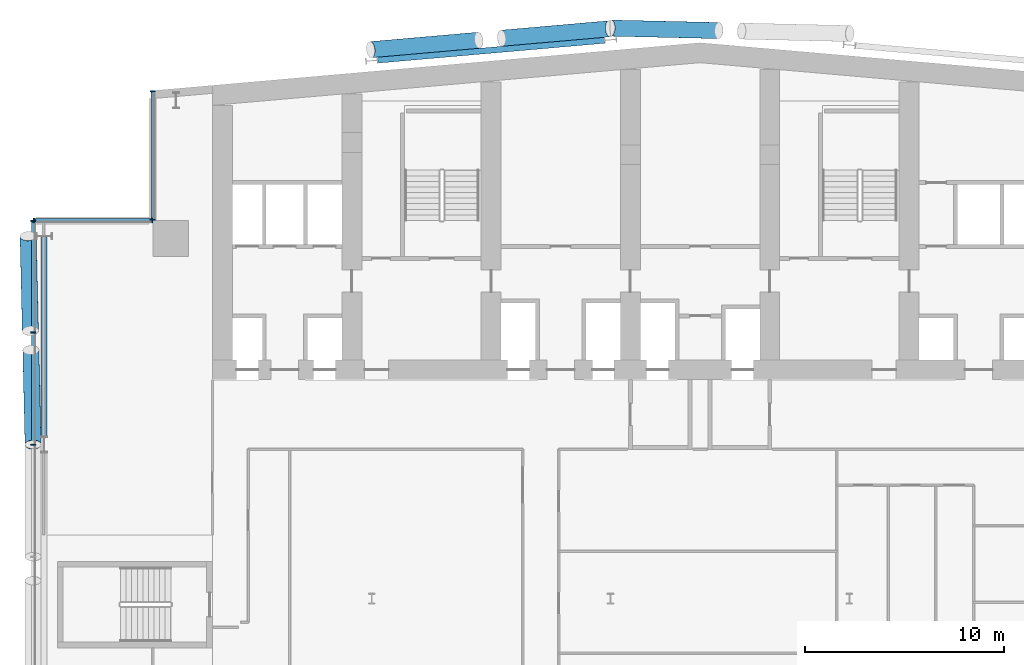
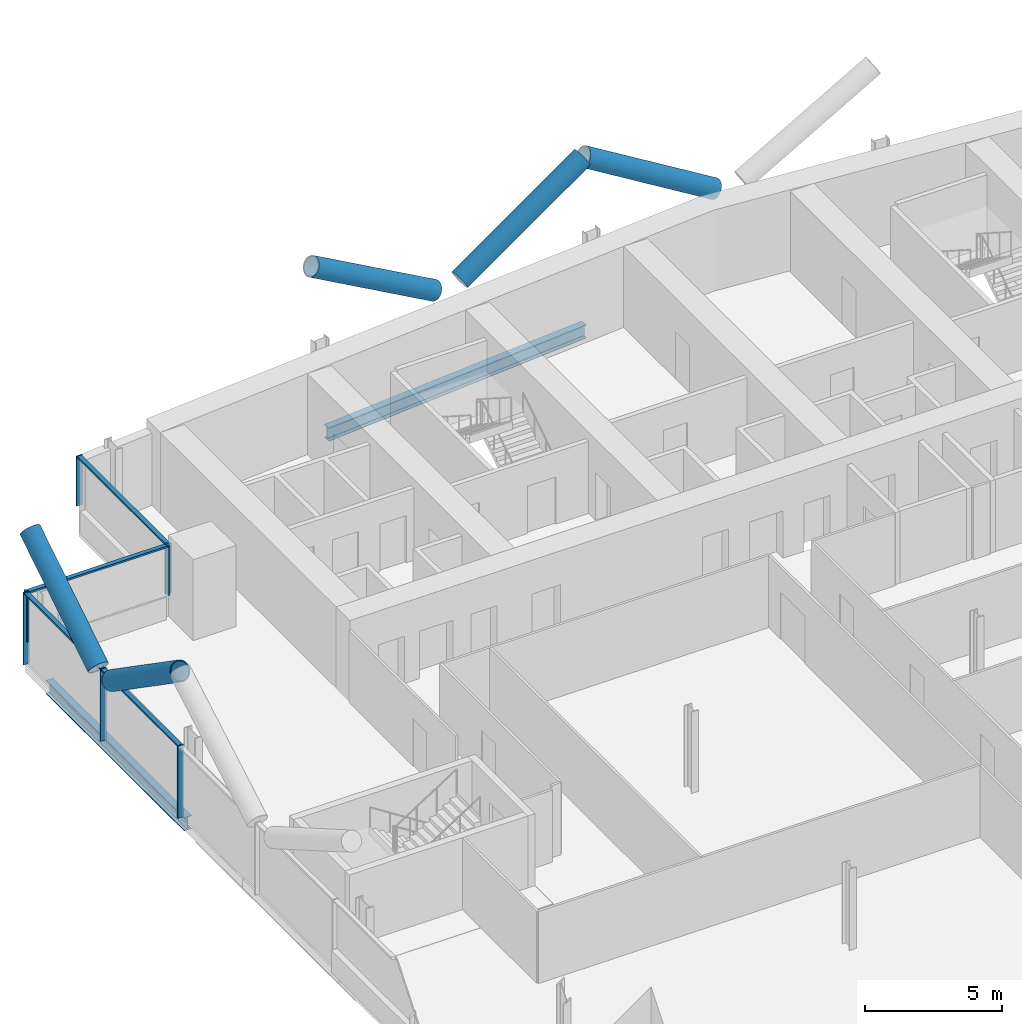
# One storey, part 8 of 27: 16 members, 2 beams, 3 elements without a shape of their own.
"""IFC4 building model written with IfcOpenShell, lengths in metres."""

from ifc_helpers import new_model, si_unit, direction, frame, origin, origin_2d, place, context, subcontext, project, spatial, rectangle, hollow_circle, i_section, extrude, material, material_profile, profile_set, type_object, element, aggregate, save


model = new_model("IFC4")

# Units and contexts
model_context = context("Model", 3, precision=1e-05, world=origin(), true_north=direction((0.0, 1.0)))
body_context = subcontext(model_context, "Body", "Model", "MODEL_VIEW")
ifc_project = project(units=[si_unit("LENGTHUNIT", "METRE"), si_unit("AREAUNIT", "SQUARE_METRE"), si_unit("VOLUMEUNIT", "CUBIC_METRE"), si_unit("PLANEANGLEUNIT", "RADIAN"), si_unit("MASSUNIT", "GRAM", prefix="KILO")], contexts=[model_context])

# Site, building, storey
site_placement = place(None, origin())
site = spatial("IfcSite", under=ifc_project, at=site_placement, CompositionType="ELEMENT")
building_placement = place(site_placement, origin())
building = spatial("IfcBuilding", under=site, at=building_placement, Name="Wharfspan Tower", CompositionType="ELEMENT")
storey_placement = place(building_placement, frame((0.0, 0.0, 111.100098)))
storey = spatial("IfcBuildingStorey", under=building, at=storey_placement, Name="L25", CompositionType="ELEMENT", Elevation=111.100098)

# Beams
ifc_material_1 = material(Name="Steel S355J2", Category="steel")
ifc_material_profile_1 = material_profile(ifc_material_1, i_section(OverallWidth=0.300049, OverallDepth=0.600098, WebThickness=0.015381, FlangeThickness=0.030029, FilletRadius=0.0271, at=origin_2d()))
ifc_profile_set_1 = profile_set([ifc_material_profile_1], Name="Steel S355J2")
beam_type = type_object("IfcBeamType", Name="Edge beam HEB 600", PredefinedType="SPANDREL", material=ifc_profile_set_1)
beam_1_placement = place(storey_placement, frame((35.695068, 51.050537, -0.700195), z_axis=(-0.996194, -0.087162, 0.0), x_axis=(0.087162, -0.996194, 0.0)))
element("IfcBeam", 1, at=beam_1_placement, inside=storey, type_object=beam_type, Name="Edge beam N1 L25 R.2 to R.1", PredefinedType="SPANDREL", context=body_context, shape_type="SweptSolid", body=[
    extrude(i_section(OverallWidth=0.300049, OverallDepth=0.600098, WebThickness=0.015381, FlangeThickness=0.030029, FilletRadius=0.0271, at=origin_2d()), origin(), (0.0, 0.0, 1.0), 11.433594),
])
beam_2_placement = place(storey_placement, frame((7.544434, 41.201416, -0.700195), z_axis=(-0.000412, -1.0, 0.0), x_axis=(1.0, -0.000412, 0.0)))
element("IfcBeam", 2, at=beam_2_placement, inside=storey, type_object=beam_type, Name="Edge beam W L25 PNRW-H.1 to PW.1", PredefinedType="SPANDREL", context=body_context, shape_type="SweptSolid", body=[
    extrude(i_section(OverallWidth=0.300049, OverallDepth=0.600098, WebThickness=0.015381, FlangeThickness=0.030029, FilletRadius=0.0271, at=origin_2d()), origin(), (0.0, 0.0, 1.0), 10.065186),
])

# Curtain wall, members
ifc_material_2 = material(Name="Aluminium 6063-T6", Category="aluminium")
curtain_wall_type = type_object("IfcCurtainWallType", Name="CURTAIN WALL PROW AND END", PredefinedType="NOTDEFINED", material=ifc_material_2)
curtain_wall_1_placement = place(storey_placement, origin())
curtain_wall_1 = element("IfcCurtainWall", 3, at=curtain_wall_1_placement, inside=storey, type_object=curtain_wall_type, Name="Curtain wall NRW-V", PredefinedType="NOTDEFINED")
ifc_material_profile_2 = material_profile(ifc_material_2, rectangle(XDim=0.23999, YDim=0.060059, at=origin_2d()))
ifc_profile_set_2 = profile_set([ifc_material_profile_2], Name="Aluminium 6063-T6")
member_type_1 = type_object("IfcMemberType", Name="MULLION PROW AND END 60x240", PredefinedType="MULLION", material=ifc_profile_set_2)
member_1_placement = place(storey_placement, frame((13.0, 48.494873, 1.0), z_axis=(0.0, 0.0, 1.0), x_axis=(1.0, 0.0, 0.0)))
member_1 = element("IfcMember", 4, at=member_1_placement, type_object=member_type_1, Name="Curtain wall NRW-V mullion 1", PredefinedType="MULLION", context=body_context, shape_type="SweptSolid", body=[
    extrude(rectangle(XDim=0.23999, YDim=0.060059, at=origin_2d()), origin(), (0.0, 0.0, 1.0), 2.199951),
])
member_2_placement = place(storey_placement, frame((13.0, 42.030029, 1.0), z_axis=(0.0, 0.0, 1.0), x_axis=(1.0, 0.0, 0.0)))
member_2 = element("IfcMember", 5, at=member_2_placement, type_object=member_type_1, Name="Curtain wall NRW-V mullion 2", PredefinedType="MULLION", context=body_context, shape_type="SweptSolid", body=[
    extrude(rectangle(XDim=0.23999, YDim=0.060059, at=origin_2d()), origin(), (0.0, 0.0, 1.0), 2.199951),
])

curtain_wall_2_placement = place(storey_placement, origin())
curtain_wall_2 = element("IfcCurtainWall", 6, at=curtain_wall_2_placement, inside=storey, type_object=curtain_wall_type, Name="Curtain wall NRW-H", PredefinedType="NOTDEFINED")
member_3_placement = place(storey_placement, frame((12.969971, 42.0, 1.0), z_axis=(0.0, 0.0, 1.0), x_axis=(0.0, -1.0, 0.0)))
member_3 = element("IfcMember", 7, at=member_3_placement, type_object=member_type_1, Name="Curtain wall NRW-H mullion 1", PredefinedType="MULLION", context=body_context, shape_type="SweptSolid", body=[
    extrude(rectangle(XDim=0.23999, YDim=0.060059, at=origin_2d()), origin(), (0.0, 0.0, 1.0), 2.199951),
])
member_4_placement = place(storey_placement, frame((7.030029, 42.0, 1.0), z_axis=(0.0, 0.0, 1.0), x_axis=(0.0, -1.0, 0.0)))
member_4 = element("IfcMember", 8, at=member_4_placement, type_object=member_type_1, Name="Curtain wall NRW-H mullion 2", PredefinedType="MULLION", context=body_context, shape_type="SweptSolid", body=[
    extrude(rectangle(XDim=0.23999, YDim=0.060059, at=origin_2d()), origin(), (0.0, 0.0, 1.0), 2.199951),
])

curtain_wall_3_placement = place(storey_placement, origin())
curtain_wall_3 = element("IfcCurtainWall", 9, at=curtain_wall_3_placement, inside=storey, type_object=curtain_wall_type, Name="Curtain wall W", PredefinedType="NOTDEFINED")
member_5_placement = place(storey_placement, frame((7.0, 41.969971, 0.0), z_axis=(0.0, 0.0, 1.0), x_axis=(1.0, 0.0, 0.0)))
member_5 = element("IfcMember", 10, at=member_5_placement, type_object=member_type_1, Name="Curtain wall W mullion 1", PredefinedType="MULLION", context=body_context, shape_type="SweptSolid", body=[
    extrude(rectangle(XDim=0.23999, YDim=0.060059, at=origin_2d()), origin(), (0.0, 0.0, 1.0), 3.199951),
])
member_6_placement = place(storey_placement, frame((7.0, 36.366699, 0.0), z_axis=(0.0, 0.0, 1.0), x_axis=(1.0, 0.0, 0.0)))
member_6 = element("IfcMember", 11, at=member_6_placement, type_object=member_type_1, Name="Curtain wall W mullion 2", PredefinedType="MULLION", context=body_context, shape_type="SweptSolid", body=[
    extrude(rectangle(XDim=0.23999, YDim=0.060059, at=origin_2d()), origin(), (0.0, 0.0, 1.0), 3.199951),
])
member_7_placement = place(storey_placement, frame((7.0, 30.733398, 0.0), z_axis=(0.0, 0.0, 1.0), x_axis=(1.0, 0.0, 0.0)))
member_7 = element("IfcMember", 12, at=member_7_placement, type_object=member_type_1, Name="Curtain wall W mullion 3", PredefinedType="MULLION", context=body_context, shape_type="SweptSolid", body=[
    extrude(rectangle(XDim=0.23999, YDim=0.060059, at=origin_2d()), origin(), (0.0, 0.0, 1.0), 3.199951),
])

# Members
ifc_material_3 = material(Name="Steel S460NH", Category="steel")
ifc_material_profile_3 = material_profile(ifc_material_3, hollow_circle(Radius=0.406494, WallThickness=0.040039, at=origin_2d()))
ifc_profile_set_3 = profile_set([ifc_material_profile_3], Name="Steel S460NH")
member_type_2 = type_object("IfcMemberType", Name="Mega brace CHS 813x40", PredefinedType="BRACE", material=ifc_profile_set_3)
for number, where, z_axis, x_axis, name in (
    (13, (6.871094, 35.486084, 3.23291), (0.019765, -0.823912, 0.566373), (0.999715, 0.023981, -2e-06), "Mega brace W4 L25 part 2"),
    (14, (6.8479, 36.455078, 3.23291), (-0.019722, 0.823926, 0.566354), (-0.999713, -0.023927, -4e-06), "Mega brace W4 L25 part 4"),
):
    element("IfcMember", number, at=place(storey_placement, frame(where, z_axis=z_axis, x_axis=x_axis)), inside=storey, type_object=member_type_2, Name=name, PredefinedType="BRACE", context=body_context, shape_type="SweptSolid", body=[
        extrude(hollow_circle(Radius=0.406494, WallThickness=0.040039, at=origin_2d()), origin(), (0.0, 0.0, 1.0), 5.768555),
    ])
member_8_placement = place(storey_placement, frame((41.435059, 51.541504, 3.246582), z_axis=(-0.857317, 0.019649, 0.514413), x_axis=(-0.022912, -0.999739, 2e-06)))
element("IfcMember", 15, at=member_8_placement, inside=storey, type_object=member_type_2, Name="Mega brace N7 L25 part 4", PredefinedType="BRACE", context=body_context, shape_type="SweptSolid", body=[
    extrude(hollow_circle(Radius=0.406494, WallThickness=0.040039, at=origin_2d()), origin(), (0.0, 0.0, 1.0), 6.324463),
])
member_9_placement = place(storey_placement, frame((30.529785, 51.156738, 3.246826), z_axis=(0.855087, 0.074812, 0.51306), x_axis=(-0.087157, 0.996195, -1e-06)))
element("IfcMember", 16, at=member_9_placement, inside=storey, type_object=member_type_2, Name="Mega brace N8 L25 part 2", PredefinedType="BRACE", context=body_context, shape_type="SweptSolid", body=[
    extrude(hollow_circle(Radius=0.406494, WallThickness=0.040039, at=origin_2d()), origin(), (0.0, 0.0, 1.0), 6.34082),
])
member_10_placement = place(storey_placement, frame((29.373291, 51.05542, 3.246826), z_axis=(-0.855079, -0.074777, 0.513078), x_axis=(0.087118, -0.996199, 0.0)))
element("IfcMember", 17, at=member_10_placement, inside=storey, type_object=member_type_2, Name="Mega brace N8 L25 part 4", PredefinedType="BRACE", context=body_context, shape_type="SweptSolid", body=[
    extrude(hollow_circle(Radius=0.406494, WallThickness=0.040039, at=origin_2d()), origin(), (0.0, 0.0, 1.0), 6.340576),
])

# Member
ifc_material_profile_4 = material_profile(ifc_material_2, rectangle(XDim=0.179932, YDim=0.080078, at=origin_2d()))
ifc_profile_set_4 = profile_set([ifc_material_profile_4], Name="Aluminium 6063-T6")
member_type_3 = type_object("IfcMemberType", Name="TRANSOM PROW AND END 80x180", PredefinedType="USERDEFINED", material=ifc_profile_set_4)
member_11_placement = place(storey_placement, frame((13.0, 48.464844, 3.159912), z_axis=(0.0, -1.0, 0.0), x_axis=(1.0, 0.0, 0.0)))
member_11 = element("IfcMember", 18, at=member_11_placement, type_object=member_type_3, Name="Curtain wall NRW-V transom 1", ObjectType="TRANSOM", PredefinedType="USERDEFINED", context=body_context, shape_type="SweptSolid", body=[
    extrude(rectangle(XDim=0.179932, YDim=0.080078, at=origin_2d()), origin(), (0.0, 0.0, 1.0), 6.404785),
])

aggregate(curtain_wall_1, [member_1, member_2, member_11])

member_12_placement = place(storey_placement, frame((12.939941, 42.0, 3.159912), z_axis=(-1.0, 0.0, 0.0), x_axis=(0.0, -1.0, 0.0)))
member_12 = element("IfcMember", 19, at=member_12_placement, type_object=member_type_3, Name="Curtain wall NRW-H transom 1", ObjectType="TRANSOM", PredefinedType="USERDEFINED", context=body_context, shape_type="SweptSolid", body=[
    extrude(rectangle(XDim=0.179932, YDim=0.080078, at=origin_2d()), origin(), (0.0, 0.0, 1.0), 5.879883),
])

aggregate(curtain_wall_2, [member_3, member_4, member_12])

member_13_placement = place(storey_placement, frame((7.0, 41.939941, 3.159912), z_axis=(0.0, -1.0, 0.0), x_axis=(1.0, 0.0, 0.0)))
member_13 = element("IfcMember", 20, at=member_13_placement, type_object=member_type_3, Name="Curtain wall W transom 1", ObjectType="TRANSOM", PredefinedType="USERDEFINED", context=body_context, shape_type="SweptSolid", body=[
    extrude(rectangle(XDim=0.179932, YDim=0.080078, at=origin_2d()), origin(), (0.0, 0.0, 1.0), 5.543213),
])

member_14_placement = place(storey_placement, frame((7.0, 36.33667, 3.159912), z_axis=(0.0, -1.0, 0.0), x_axis=(1.0, 0.0, 0.0)))
member_14 = element("IfcMember", 21, at=member_14_placement, type_object=member_type_3, Name="Curtain wall W transom 2", ObjectType="TRANSOM", PredefinedType="USERDEFINED", context=body_context, shape_type="SweptSolid", body=[
    extrude(rectangle(XDim=0.179932, YDim=0.080078, at=origin_2d()), origin(), (0.0, 0.0, 1.0), 5.573242),
])

aggregate(curtain_wall_3, [member_5, member_6, member_7, member_13, member_14])

save(model, "model.ifc")
